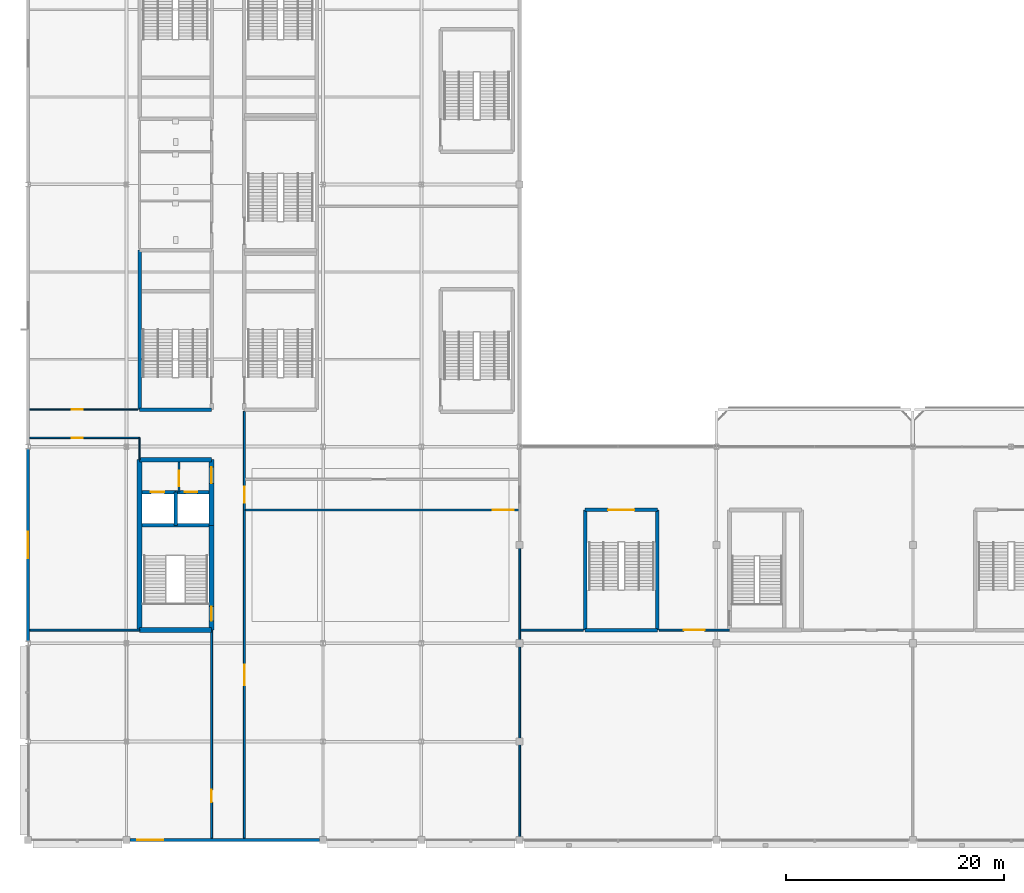
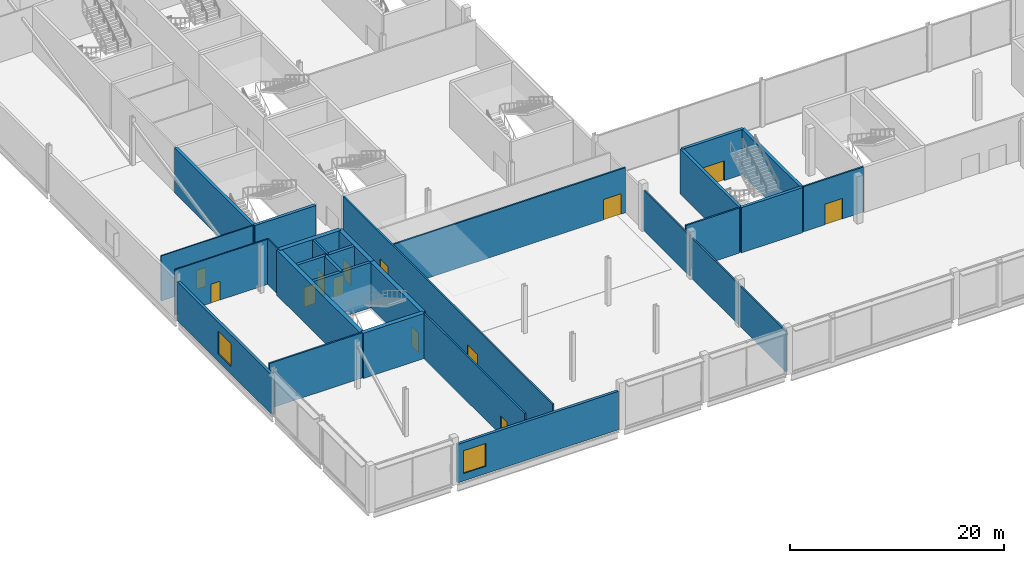
# One storey, part 63 of 113: 29 walls, 13 doors, 2 windows, 15 openings.
"""IFC4 building model written with IfcOpenShell, lengths in metres."""

from ifc_helpers import new_model, si_unit, direction, frame, frame_2d, origin, place, context, subcontext, project, spatial, rectangle, extrude, material, layer, layer_set, type_object, element, fill, save


model = new_model("IFC4")

# Units and contexts
model_context = context("Model", 3, precision=1e-05, world=origin(), true_north=direction((0.0, 1.0)))
body_context = subcontext(model_context, "Body", "Model", "MODEL_VIEW")
ifc_project = project(units=[si_unit("LENGTHUNIT", "METRE"), si_unit("AREAUNIT", "SQUARE_METRE"), si_unit("VOLUMEUNIT", "CUBIC_METRE"), si_unit("PLANEANGLEUNIT", "RADIAN"), si_unit("MASSUNIT", "GRAM", prefix="KILO")], contexts=[model_context])

# Site, building, storey
site_placement = place(None, origin())
site = spatial("IfcSite", under=ifc_project, at=site_placement, CompositionType="ELEMENT")
building_placement = place(site_placement, origin())
building = spatial("IfcBuilding", under=site, at=building_placement, Name="Kisiwana Market Hall", CompositionType="ELEMENT")
storey_placement = place(building_placement, frame((0.0, 0.0, 6.0)))
storey = spatial("IfcBuildingStorey", under=building, at=storey_placement, Name="L01", CompositionType="ELEMENT", Elevation=6.0)

# Wall, opening, door
ifc_material_1 = material(Name="Masonry blockwork", Category="masonry")
ifc_layer_1 = layer(ifc_material_1, 0.199951171875, Name="Plastered fire compartment block wall")
ifc_layer_set_1 = layer_set([ifc_layer_1], Name="WL-COMP-200")
wall_type_1 = type_object("IfcWallType", Name="WL-COMP-200", PredefinedType="PARTITIONING", material=ifc_layer_set_1)
wall_1_placement = place(storey_placement, frame((13.800048828125, 31.844970703125, 0.0), z_axis=(0.0, 0.0, 1.0), x_axis=(0.0, 1.0, 0.0)))
wall_1 = element("IfcWall", 1, at=wall_1_placement, inside=storey, type_object=wall_type_1, Name="Core W2 firefighting lobby wall W-0842", PredefinedType="PARTITIONING", context=body_context, shape_type="SweptSolid", body=[
    extrude(rectangle(XDim=2.72998046875, YDim=0.199951171875, at=frame_2d((1.364990234375, 0.0))), origin(), (0.0, 0.0, 1.0), 5.14990234375),
])
opening_1_placement = place(wall_1_placement, frame((0.550048828125, 0.0, 0.0)))
opening_1 = element("IfcOpeningElement", 2, at=opening_1_placement, cuts=wall_1, Name="Opening DR-L01-003", PredefinedType="OPENING", context=body_context, shape_type="SweptSolid", body=[
    extrude(rectangle(XDim=1.39990234375, YDim=2.25, at=frame_2d((0.699951171875, 1.125))), frame((0.0, 0.11181640625, 0.0), z_axis=(0.0, -1.0, 0.0), x_axis=(1.0, 0.0, 0.0)), (0.0, 0.0, 1.0), 0.223876953125),
])
ifc_material_2 = material(Name="Steel S275", Category="steel")
door_type_1 = type_object("IfcDoorType", Name="DR-FFLOB-FD120-1400", OperationType="DOUBLE_DOOR_SINGLE_SWING", PredefinedType="DOOR", material=ifc_material_2)
door_1_placement = place(opening_1_placement, frame((1.39990234375, 0.0, 0.0), z_axis=(0.0, 0.0, 1.0), x_axis=(-1.0, 0.0, 0.0)))
door_1 = element("IfcDoor", 3, at=door_1_placement, inside=storey, type_object=door_type_1, Name="Firefighting Lift Lobby W2 Door (L01)", OperationType="DOUBLE_DOOR_SINGLE_SWING", OverallHeight=2.25, OverallWidth=1.39990234375, PredefinedType="DOOR", context=body_context, shape_type="SweptSolid", body=[
    extrude(rectangle(XDim=1.39990234375, YDim=2.25, at=frame_2d((0.699951171875, 1.125))), frame((0.0, 0.02490234375, 0.0), z_axis=(0.0, -1.0, 0.0), x_axis=(1.0, 0.0, 0.0)), (0.0, 0.0, 1.0), 0.050048828125),
])
fill(opening_1, door_1)

# Walls
ifc_material_3 = material(Name="Concrete C40/50", Category="concrete")
ifc_layer_2 = layer(ifc_material_3, 0.320068359375, Name="Reinforced concrete shaft wall")
ifc_layer_set_2 = layer_set([ifc_layer_2], Name="WL-CORE-320")
wall_type_2 = type_object("IfcWallType", Name="WL-CORE-320", PredefinedType="SHEAR", material=ifc_layer_set_2)
wall_2_placement = place(storey_placement, frame((10.425048828125, 28.784912109375, 0.0), z_axis=(0.0, 0.0, 1.0), x_axis=(1.0, 0.0, 0.0)))
element("IfcWall", 4, at=wall_2_placement, inside=storey, type_object=wall_type_2, Name="Core W2 shaft back shear wall W-0677", PredefinedType="SHEAR", context=body_context, shape_type="SweptSolid", body=[
    extrude(rectangle(XDim=6.14990234375, YDim=0.320068359375, at=frame_2d((3.074951171875, 0.0))), origin(), (0.0, 0.0, 1.0), 5.14990234375),
])
wall_3_placement = place(storey_placement, frame((13.5, 28.784912109375, 0.0), z_axis=(0.0, 0.0, 1.0), x_axis=(0.0, 1.0, 0.0)))
element("IfcWall", 5, at=wall_3_placement, inside=storey, type_object=wall_type_2, Name="Core W2 inter-shaft shear wall W-0678", PredefinedType="SHEAR", context=body_context, shape_type="SweptSolid", body=[
    extrude(rectangle(XDim=3.06005859375, YDim=0.320068359375, at=frame_2d((1.530029296875, 0.0))), origin(), (0.0, 0.0, 1.0), 5.14990234375),
])

# Wall, opening, door
wall_4_placement = place(storey_placement, frame((10.425048828125, 31.844970703125, 0.0), z_axis=(0.0, 0.0, 1.0), x_axis=(1.0, 0.0, 0.0)))
wall_4 = element("IfcWall", 6, at=wall_4_placement, inside=storey, type_object=wall_type_2, Name="Core W2 west lift front wall W-0679", PredefinedType="SHEAR", context=body_context, shape_type="SweptSolid", body=[
    extrude(rectangle(XDim=3.074951171875, YDim=0.320068359375, at=frame_2d((1.53759765625, 0.0))), origin(), (0.0, 0.0, 1.0), 5.14990234375),
])
opening_2_placement = place(wall_4_placement, frame((0.800048828125, 0.0, 0.0)))
opening_2 = element("IfcOpeningElement", 7, at=opening_2_placement, cuts=wall_4, Name="Opening LD-L01-001", PredefinedType="OPENING", context=body_context, shape_type="SweptSolid", body=[
    extrude(rectangle(XDim=1.25, YDim=2.25, at=frame_2d((0.625, 1.125))), frame((0.0, 0.171875, 0.0), z_axis=(0.0, -1.0, 0.0), x_axis=(1.0, 0.0, 0.0)), (0.0, 0.0, 1.0), 0.343994140625),
])
ifc_material_4 = material(Name="Steel S275", Category="steel")
door_type_2 = type_object("IfcDoorType", Name="DR-LIFT-FFL-1250", OperationType="DOUBLE_DOOR_SLIDING", PredefinedType="DOOR", material=ifc_material_4)
door_2_placement = place(opening_2_placement, origin())
door_2 = element("IfcDoor", 8, at=door_2_placement, inside=storey, type_object=door_type_2, Name="Lift Landing Door FFL-01 (L01)", OperationType="DOUBLE_DOOR_SLIDING", OverallHeight=2.25, OverallWidth=1.25, PredefinedType="DOOR", context=body_context, shape_type="SweptSolid", body=[
    extrude(rectangle(XDim=1.25, YDim=2.25, at=frame_2d((0.625, 1.125))), frame((0.0, 0.02490234375, 0.0), z_axis=(0.0, -1.0, 0.0), x_axis=(1.0, 0.0, 0.0)), (0.0, 0.0, 1.0), 0.050048828125),
])
fill(opening_2, door_2)

wall_5_placement = place(storey_placement, frame((13.5, 31.844970703125, 0.0), z_axis=(0.0, 0.0, 1.0), x_axis=(1.0, 0.0, 0.0)))
wall_5 = element("IfcWall", 9, at=wall_5_placement, inside=storey, type_object=wall_type_2, Name="Core W2 east lift front wall W-0680", PredefinedType="SHEAR", context=body_context, shape_type="SweptSolid", body=[
    extrude(rectangle(XDim=3.074951171875, YDim=0.320068359375, at=frame_2d((1.53759765625, 0.0))), origin(), (0.0, 0.0, 1.0), 5.14990234375),
])
opening_3_placement = place(wall_5_placement, frame((0.85009765625, 0.0, 0.0)))
opening_3 = element("IfcOpeningElement", 10, at=opening_3_placement, cuts=wall_5, Name="Opening LD-L01-002", PredefinedType="OPENING", context=body_context, shape_type="SweptSolid", body=[
    extrude(rectangle(XDim=1.14990234375, YDim=2.199951171875, at=frame_2d((0.574951171875, 1.10009765625))), frame((0.0, 0.171875, 0.0), z_axis=(0.0, -1.0, 0.0), x_axis=(1.0, 0.0, 0.0)), (0.0, 0.0, 1.0), 0.343994140625),
])
ifc_material_5 = material(Name="Steel S275", Category="steel")
door_type_3 = type_object("IfcDoorType", Name="DR-LIFT-PAX-1150", OperationType="DOUBLE_DOOR_SLIDING", PredefinedType="DOOR", material=ifc_material_5)
door_3_placement = place(opening_3_placement, origin())
door_3 = element("IfcDoor", 11, at=door_3_placement, inside=storey, type_object=door_type_3, Name="Lift Landing Door LP-01 (L01)", OperationType="DOUBLE_DOOR_SLIDING", OverallHeight=2.199951171875, OverallWidth=1.14990234375, PredefinedType="DOOR", context=body_context, shape_type="SweptSolid", body=[
    extrude(rectangle(XDim=1.14990234375, YDim=2.199951171875, at=frame_2d((0.574951171875, 1.10009765625))), frame((0.0, 0.02490234375, 0.0), z_axis=(0.0, -1.0, 0.0), x_axis=(1.0, 0.0, 0.0)), (0.0, 0.0, 1.0), 0.050048828125),
])
fill(opening_3, door_3)

# Walls
wall_6_placement = place(storey_placement, frame((10.199951171875, 39.39990234375, 0.0), z_axis=(0.0, 0.0, 1.0), x_axis=(1.0, 0.0, 0.0)))
element("IfcWall", 12, at=wall_6_placement, inside=storey, type_object=wall_type_2, Name="Core W3 south shear wall W-0730", PredefinedType="SHEAR", context=body_context, shape_type="SweptSolid", body=[
    extrude(rectangle(XDim=6.60009765625, YDim=0.320068359375, at=frame_2d((3.300048828125, 0.0))), origin(), (0.0, 0.0, 1.0), 5.14990234375),
])
wall_7_placement = place(storey_placement, frame((10.199951171875, 39.39990234375, 0.0), z_axis=(0.0, 0.0, 1.0), x_axis=(0.0, 1.0, 0.0)))
element("IfcWall", 13, at=wall_7_placement, inside=storey, type_object=wall_type_2, Name="Core W3 outer shear wall W-0732", PredefinedType="SHEAR", context=body_context, shape_type="SweptSolid", body=[
    extrude(rectangle(XDim=14.60009765625, YDim=0.320068359375, at=frame_2d((7.300048828125, 0.0))), origin(), (0.0, 0.0, 1.0), 5.14990234375),
])
wall_8_placement = place(storey_placement, frame((51.0, 19.199951171875, 0.0), z_axis=(0.0, 0.0, 1.0), x_axis=(1.0, 0.0, 0.0)))
element("IfcWall", 14, at=wall_8_placement, inside=storey, type_object=wall_type_2, Name="Core S3 outer shear wall W-0794", PredefinedType="SHEAR", context=body_context, shape_type="SweptSolid", body=[
    extrude(rectangle(XDim=6.60009765625, YDim=0.320068359375, at=frame_2d((3.300048828125, 0.0))), origin(), (0.0, 0.0, 1.0), 5.14990234375),
])

# Wall, opening, door
wall_9_placement = place(storey_placement, frame((51.0, 30.199951171875, 0.0), z_axis=(0.0, 0.0, 1.0), x_axis=(1.0, 0.0, 0.0)))
wall_9 = element("IfcWall", 15, at=wall_9_placement, inside=storey, type_object=wall_type_2, Name="Core S3 corridor shear wall W-0795", PredefinedType="SHEAR", context=body_context, shape_type="SweptSolid", body=[
    extrude(rectangle(XDim=6.60009765625, YDim=0.320068359375, at=frame_2d((3.300048828125, 0.0))), origin(), (0.0, 0.0, 1.0), 5.14990234375),
])
opening_4_placement = place(wall_9_placement, frame((2.10009765625, 0.0, 0.0)))
opening_4 = element("IfcOpeningElement", 16, at=opening_4_placement, cuts=wall_9, Name="Opening DR-L01-033", PredefinedType="OPENING", context=body_context, shape_type="SweptSolid", body=[
    extrude(rectangle(XDim=2.39990234375, YDim=2.25, at=frame_2d((1.199951171875, 1.125))), frame((0.0, 0.171875, 0.0), z_axis=(0.0, -1.0, 0.0), x_axis=(1.0, 0.0, 0.0)), (0.0, 0.0, 1.0), 0.343994140625),
])
ifc_material_6 = material(Name="Steel S275", Category="steel")
door_type_4 = type_object("IfcDoorType", Name="DR-STAIR-FD120-2400", OperationType="DOUBLE_DOOR_SINGLE_SWING", PredefinedType="DOOR", material=ifc_material_6)
door_4_placement = place(opening_4_placement, frame((2.39990234375, 0.0, 0.0), z_axis=(0.0, 0.0, 1.0), x_axis=(-1.0, 0.0, 0.0)))
door_4 = element("IfcDoor", 17, at=door_4_placement, inside=storey, type_object=door_type_4, Name="Escape Stair S3 Fire Door (L01)", OperationType="DOUBLE_DOOR_SINGLE_SWING", OverallHeight=2.25, OverallWidth=2.39990234375, PredefinedType="DOOR", context=body_context, shape_type="SweptSolid", body=[
    extrude(rectangle(XDim=2.39990234375, YDim=2.25, at=frame_2d((1.199951171875, 1.125))), frame((0.0, 0.02490234375, 0.0), z_axis=(0.0, -1.0, 0.0), x_axis=(1.0, 0.0, 0.0)), (0.0, 0.0, 1.0), 0.050048828125),
])
fill(opening_4, door_4)

# Walls
for number, where, z_axis, x_axis, name in (
    (18, (51.0, 19.199951171875, 0.0), (0.0, 0.0, 1.0), (0.0, 1.0, 0.0), "Core S3 west shear wall W-0796"),
    (19, (57.60009765625, 19.199951171875, 0.0), (0.0, 0.0, 1.0), (0.0, 1.0, 0.0), "Core S3 east shear wall W-0797"),
):
    element("IfcWall", number, at=place(storey_placement, frame(where, z_axis=z_axis, x_axis=x_axis)), inside=storey, type_object=wall_type_2, Name=name, PredefinedType="SHEAR", context=body_context, shape_type="SweptSolid", body=[
        extrude(rectangle(XDim=11.0, YDim=0.320068359375, at=frame_2d((5.5, 0.0))), origin(), (0.0, 0.0, 1.0), 5.14990234375),
    ])
ifc_material_7 = material(Name="Concrete C40/50", Category="concrete")
ifc_layer_3 = layer(ifc_material_7, 0.449951171875, Name="Reinforced concrete core wall")
ifc_layer_set_3 = layer_set([ifc_layer_3], Name="WL-CORE-450")
wall_type_3 = type_object("IfcWallType", Name="WL-CORE-450", PredefinedType="SHEAR", material=ifc_layer_set_3)
for number, where, z_axis, x_axis, name in (
    (20, (10.199951171875, 19.199951171875, 0.0), (0.0, 0.0, 1.0), (1.0, 0.0, 0.0), "Core W2 south shear wall W-0672"),
    (21, (10.199951171875, 34.800048828125, 0.0), (0.0, 0.0, 1.0), (1.0, 0.0, 0.0), "Core W2 north shear wall W-0673"),
):
    element("IfcWall", number, at=place(storey_placement, frame(where, z_axis=z_axis, x_axis=x_axis)), inside=storey, type_object=wall_type_3, Name=name, PredefinedType="SHEAR", context=body_context, shape_type="SweptSolid", body=[
        extrude(rectangle(XDim=6.60009765625, YDim=0.449951171875, at=frame_2d((3.300048828125, 0.0))), origin(), (0.0, 0.0, 1.0), 5.14990234375),
    ])
wall_10_placement = place(storey_placement, frame((10.199951171875, 19.199951171875, 0.0), z_axis=(0.0, 0.0, 1.0), x_axis=(0.0, 1.0, 0.0)))
element("IfcWall", 22, at=wall_10_placement, inside=storey, type_object=wall_type_3, Name="Core W2 outer shear wall W-0674", PredefinedType="SHEAR", context=body_context, shape_type="SweptSolid", body=[
    extrude(rectangle(XDim=15.60009765625, YDim=0.449951171875, at=frame_2d((7.800048828125, 0.0))), origin(), (0.0, 0.0, 1.0), 5.14990234375),
])

# Wall, opening, door
wall_11_placement = place(storey_placement, frame((16.800048828125, 19.199951171875, 0.0), z_axis=(0.0, 0.0, 1.0), x_axis=(0.0, 1.0, 0.0)))
wall_11 = element("IfcWall", 23, at=wall_11_placement, inside=storey, type_object=wall_type_3, Name="Core W2 stair corridor shear wall W-0675", PredefinedType="SHEAR", context=body_context, shape_type="SweptSolid", body=[
    extrude(rectangle(XDim=9.5849609375, YDim=0.449951171875, at=frame_2d((4.79248046875, 0.0))), origin(), (0.0, 0.0, 1.0), 5.14990234375),
])
opening_5_placement = place(wall_11_placement, frame((0.85009765625, 0.0, 0.0)))
opening_5 = element("IfcOpeningElement", 24, at=opening_5_placement, cuts=wall_11, Name="Opening DR-L01-001", PredefinedType="OPENING", context=body_context, shape_type="SweptSolid", body=[
    extrude(rectangle(XDim=1.300048828125, YDim=2.199951171875, at=frame_2d((0.64990234375, 1.10009765625))), frame((0.0, 0.23681640625, 0.0), z_axis=(0.0, -1.0, 0.0), x_axis=(1.0, 0.0, 0.0)), (0.0, 0.0, 1.0), 0.473876953125),
])
ifc_material_8 = material(Name="Steel S275", Category="steel")
door_type_5 = type_object("IfcDoorType", Name="DR-STAIR-FD120-1300", OperationType="NOTDEFINED", PredefinedType="DOOR", material=ifc_material_8)
door_5_placement = place(opening_5_placement, origin())
door_5 = element("IfcDoor", 25, at=door_5_placement, inside=storey, type_object=door_type_5, Name="Escape Stair W2 Fire Door (L01)", OperationType="SINGLE_SWING_LEFT", OverallHeight=2.199951171875, OverallWidth=1.300048828125, PredefinedType="DOOR", context=body_context, shape_type="SweptSolid", body=[
    extrude(rectangle(XDim=1.300048828125, YDim=2.199951171875, at=frame_2d((0.64990234375, 1.10009765625))), frame((0.0, 0.02490234375, 0.0), z_axis=(0.0, -1.0, 0.0), x_axis=(1.0, 0.0, 0.0)), (0.0, 0.0, 1.0), 0.050048828125),
])
fill(opening_5, door_5)

wall_12_placement = place(storey_placement, frame((16.800048828125, 28.784912109375, 0.0), z_axis=(0.0, 0.0, 1.0), x_axis=(0.0, 1.0, 0.0)))
wall_12 = element("IfcWall", 26, at=wall_12_placement, inside=storey, type_object=wall_type_3, Name="Core W2 lobby corridor shear wall W-0676", PredefinedType="SHEAR", context=body_context, shape_type="SweptSolid", body=[
    extrude(rectangle(XDim=6.01513671875, YDim=0.449951171875, at=frame_2d((3.007568359375, 0.0))), origin(), (0.0, 0.0, 1.0), 5.14990234375),
])
opening_6_placement = place(wall_12_placement, frame((3.85009765625, 0.0, 0.0)))
opening_6 = element("IfcOpeningElement", 27, at=opening_6_placement, cuts=wall_12, Name="Opening DR-L01-002", PredefinedType="OPENING", context=body_context, shape_type="SweptSolid", body=[
    extrude(rectangle(XDim=1.5, YDim=2.199951171875, at=frame_2d((0.75, 1.10009765625))), frame((0.0, 0.23681640625, 0.0), z_axis=(0.0, -1.0, 0.0), x_axis=(1.0, 0.0, 0.0)), (0.0, 0.0, 1.0), 0.473876953125),
])
ifc_material_9 = material(Name="Steel S275", Category="steel")
door_type_6 = type_object("IfcDoorType", Name="DR-CORR-FD60-1500", OperationType="DOUBLE_DOOR_SINGLE_SWING", PredefinedType="DOOR", material=ifc_material_9)
door_6_placement = place(opening_6_placement, frame((1.5, 0.0, 0.0), z_axis=(0.0, 0.0, 1.0), x_axis=(-1.0, 0.0, 0.0)))
door_6 = element("IfcDoor", 28, at=door_6_placement, inside=storey, type_object=door_type_6, Name="Passenger Lift Lobby W2 Smoke Door (L01)", OperationType="DOUBLE_DOOR_SINGLE_SWING", OverallHeight=2.199951171875, OverallWidth=1.5, PredefinedType="DOOR", context=body_context, shape_type="SweptSolid", body=[
    extrude(rectangle(XDim=1.5, YDim=2.199951171875, at=frame_2d((0.75, 1.10009765625))), frame((0.0, 0.02490234375, 0.0), z_axis=(0.0, -1.0, 0.0), x_axis=(1.0, 0.0, 0.0)), (0.0, 0.0, 1.0), 0.050048828125),
])
fill(opening_6, door_6)

# Wall
ifc_material_10 = material(Name="Masonry blockwork", Category="masonry")
ifc_layer_4 = layer(ifc_material_10, 0.169921875, Name="Protected corridor partition")
ifc_layer_set_4 = layer_set([ifc_layer_4], Name="WL-CORR-170")
wall_type_4 = type_object("IfcWallType", Name="WL-CORR-170", PredefinedType="PARTITIONING", material=ifc_layer_set_4)
wall_13_placement = place(storey_placement, frame((0.157470703125, 19.199951171875, 0.0), z_axis=(0.0, 0.0, 1.0), x_axis=(1.0, 0.0, 0.0)))
element("IfcWall", 29, at=wall_13_placement, inside=storey, type_object=wall_type_4, Name="Interior partition W-0852", PredefinedType="PARTITIONING", context=body_context, shape_type="SweptSolid", body=[
    extrude(rectangle(XDim=10.04248046875, YDim=0.169921875, at=frame_2d((5.021240234375, 0.0))), origin(), (0.0, 0.0, 1.0), 5.14990234375),
])

# Wall, opening, door
wall_14_placement = place(storey_placement, frame((16.800048828125, 0.157470703125, 0.0), z_axis=(0.0, 0.0, 1.0), x_axis=(0.0, 1.0, 0.0)))
wall_14 = element("IfcWall", 30, at=wall_14_placement, inside=storey, type_object=wall_type_4, Name="Interior partition W-0858", PredefinedType="PARTITIONING", context=body_context, shape_type="SweptSolid", body=[
    extrude(rectangle(XDim=19.04248046875, YDim=0.169921875, at=frame_2d((9.521240234375, 0.0))), origin(), (0.0, 0.0, 1.0), 5.14990234375),
])
opening_7_placement = place(wall_14_placement, frame((3.300048828125, 0.0, 0.0)))
opening_7 = element("IfcOpeningElement", 31, at=opening_7_placement, cuts=wall_14, Name="Opening DR-L01-047", PredefinedType="OPENING", context=body_context, shape_type="SweptSolid", body=[
    extrude(rectangle(XDim=1.14990234375, YDim=2.14990234375, at=frame_2d((0.574951171875, 1.074951171875))), frame((0.0, 0.096923828125, 0.0), z_axis=(0.0, -1.0, 0.0), x_axis=(1.0, 0.0, 0.0)), (0.0, 0.0, 1.0), 0.19384765625),
])
ifc_material_11 = material(Name="Aluminium alloy 6063-T6", Category="aluminium")
door_type_7 = type_object("IfcDoorType", Name="DR-MEET-1150", OperationType="NOTDEFINED", PredefinedType="DOOR", material=ifc_material_11)
door_7_placement = place(opening_7_placement, origin())
door_7 = element("IfcDoor", 32, at=door_7_placement, inside=storey, type_object=door_type_7, Name="L01 W Corner Office Suite South Door", OperationType="SINGLE_SWING_LEFT", OverallHeight=2.14990234375, OverallWidth=1.14990234375, PredefinedType="DOOR", context=body_context, shape_type="SweptSolid", body=[
    extrude(rectangle(XDim=1.14990234375, YDim=2.14990234375, at=frame_2d((0.574951171875, 1.074951171875))), frame((0.0, 0.02490234375, 0.0), z_axis=(0.0, -1.0, 0.0), x_axis=(1.0, 0.0, 0.0)), (0.0, 0.0, 1.0), 0.050048828125),
])
fill(opening_7, door_7)

wall_15_placement = place(storey_placement, frame((19.885009765625, 30.199951171875, 0.0), z_axis=(0.0, 0.0, 1.0), x_axis=(1.0, 0.0, 0.0)))
wall_15 = element("IfcWall", 33, at=wall_15_placement, inside=storey, type_object=wall_type_4, Name="Interior partition W-0860", PredefinedType="PARTITIONING", context=body_context, shape_type="SweptSolid", body=[
    extrude(rectangle(XDim=25.030029296875, YDim=0.169921875, at=frame_2d((12.51513671875, 0.0))), origin(), (0.0, 0.0, 1.0), 5.14990234375),
])
opening_8_placement = place(wall_15_placement, frame((22.64990234375, 0.0, 0.0)))
opening_8 = element("IfcOpeningElement", 34, at=opening_8_placement, cuts=wall_15, Name="Opening DR-L01-049", PredefinedType="OPENING", context=body_context, shape_type="SweptSolid", body=[
    extrude(rectangle(XDim=1.89990234375, YDim=2.35009765625, at=frame_2d((0.949951171875, 1.175048828125))), frame((0.0, 0.096923828125, 0.0), z_axis=(0.0, -1.0, 0.0), x_axis=(1.0, 0.0, 0.0)), (0.0, 0.0, 1.0), 0.19384765625),
])
ifc_material_12 = material(Name="Steel S275", Category="steel")
door_type_8 = type_object("IfcDoorType", Name="DR-HALL-1900", OperationType="DOUBLE_DOOR_SINGLE_SWING", PredefinedType="DOOR", material=ifc_material_12)
door_8_placement = place(opening_8_placement, frame((1.89990234375, 0.0, 0.0), z_axis=(0.0, 0.0, 1.0), x_axis=(-1.0, 0.0, 0.0)))
door_8 = element("IfcDoor", 35, at=door_8_placement, inside=storey, type_object=door_type_8, Name="L01 W Food Court South Dining Hall Exit Door", OperationType="DOUBLE_DOOR_SINGLE_SWING", OverallHeight=2.35009765625, OverallWidth=1.89990234375, PredefinedType="DOOR", context=body_context, shape_type="SweptSolid", body=[
    extrude(rectangle(XDim=1.89990234375, YDim=2.35009765625, at=frame_2d((0.949951171875, 1.175048828125))), frame((0.0, 0.02490234375, 0.0), z_axis=(0.0, -1.0, 0.0), x_axis=(1.0, 0.0, 0.0)), (0.0, 0.0, 1.0), 0.050048828125),
])
fill(opening_8, door_8)

# Wall, openings, doors
wall_16_placement = place(storey_placement, frame((19.800048828125, 0.157470703125, 0.0), z_axis=(0.0, 0.0, 1.0), x_axis=(0.0, 1.0, 0.0)))
wall_16 = element("IfcWall", 36, at=wall_16_placement, inside=storey, type_object=wall_type_4, Name="Interior partition W-0865", PredefinedType="PARTITIONING", context=body_context, shape_type="SweptSolid", body=[
    extrude(rectangle(XDim=39.08251953125, YDim=0.169921875, at=frame_2d((19.541259765625, 0.0))), origin(), (0.0, 0.0, 1.0), 5.14990234375),
])
opening_9_placement = place(wall_16_placement, frame((13.991943359375, 0.0, 0.0)))
opening_9 = element("IfcOpeningElement", 37, at=opening_9_placement, cuts=wall_16, Name="Opening DR-L01-051", PredefinedType="OPENING", context=body_context, shape_type="SweptSolid", body=[
    extrude(rectangle(XDim=1.89990234375, YDim=2.35009765625, at=frame_2d((0.949951171875, 1.175048828125))), frame((0.0, 0.096923828125, 0.0), z_axis=(0.0, -1.0, 0.0), x_axis=(1.0, 0.0, 0.0)), (0.0, 0.0, 1.0), 0.19384765625),
])
opening_10_placement = place(wall_16_placement, frame((30.693115234375, 0.0, 0.0)))
opening_10 = element("IfcOpeningElement", 38, at=opening_10_placement, cuts=wall_16, Name="Opening DR-L01-052", PredefinedType="OPENING", context=body_context, shape_type="SweptSolid", body=[
    extrude(rectangle(XDim=1.5, YDim=2.199951171875, at=frame_2d((0.75, 1.10009765625))), frame((0.0, 0.096923828125, 0.0), z_axis=(0.0, -1.0, 0.0), x_axis=(1.0, 0.0, 0.0)), (0.0, 0.0, 1.0), 0.19384765625),
])
door_9_placement = place(opening_10_placement, origin())
door_9 = element("IfcDoor", 39, at=door_9_placement, inside=storey, type_object=door_type_6, Name="L01 W South Mezzanine Link Corridor Door", OperationType="DOUBLE_DOOR_SINGLE_SWING", OverallHeight=2.199951171875, OverallWidth=1.5, PredefinedType="DOOR", context=body_context, shape_type="SweptSolid", body=[
    extrude(rectangle(XDim=1.5, YDim=2.199951171875, at=frame_2d((0.75, 1.10009765625))), frame((0.0, 0.02490234375, 0.0), z_axis=(0.0, -1.0, 0.0), x_axis=(1.0, 0.0, 0.0)), (0.0, 0.0, 1.0), 0.050048828125),
])
fill(opening_10, door_9)
door_10_placement = place(opening_9_placement, frame((1.89990234375, 0.0, 0.0), z_axis=(0.0, 0.0, 1.0), x_axis=(-1.0, 0.0, 0.0)))
door_10 = element("IfcDoor", 40, at=door_10_placement, inside=storey, type_object=door_type_8, Name="L01 W Food Court South Dining Hall Door", OperationType="DOUBLE_DOOR_SINGLE_SWING", OverallHeight=2.35009765625, OverallWidth=1.89990234375, PredefinedType="DOOR", context=body_context, shape_type="SweptSolid", body=[
    extrude(rectangle(XDim=1.89990234375, YDim=2.35009765625, at=frame_2d((0.949951171875, 1.175048828125))), frame((0.0, 0.02490234375, 0.0), z_axis=(0.0, -1.0, 0.0), x_axis=(1.0, 0.0, 0.0)), (0.0, 0.0, 1.0), 0.050048828125),
])
fill(opening_9, door_10)

# Walls
wall_17_placement = place(storey_placement, frame((45.0, 0.219970703125, 0.0), z_axis=(0.0, 0.0, 1.0), x_axis=(0.0, 1.0, 0.0)))
element("IfcWall", 41, at=wall_17_placement, inside=storey, type_object=wall_type_4, Name="Interior partition W-0867", PredefinedType="PARTITIONING", context=body_context, shape_type="SweptSolid", body=[
    extrude(rectangle(XDim=17.56005859375, YDim=0.169921875, at=frame_2d((8.780029296875, 0.0))), origin(), (0.0, 0.0, 1.0), 4.616943359375),
])
wall_18_placement = place(storey_placement, frame((45.0, 18.219970703125, 0.0), z_axis=(0.0, 0.0, 1.0), x_axis=(0.0, 1.0, 0.0)))
element("IfcWall", 42, at=wall_18_placement, inside=storey, type_object=wall_type_4, Name="Interior partition W-0868", PredefinedType="PARTITIONING", context=body_context, shape_type="SweptSolid", body=[
    extrude(rectangle(XDim=8.56005859375, YDim=0.169921875, at=frame_2d((4.280029296875, 0.0))), origin(), (0.0, 0.0, 1.0), 4.616943359375),
])
wall_19_placement = place(storey_placement, frame((45.0849609375, 19.199951171875, 0.0), z_axis=(0.0, 0.0, 1.0), x_axis=(1.0, 0.0, 0.0)))
element("IfcWall", 43, at=wall_19_placement, inside=storey, type_object=wall_type_4, Name="Interior partition W-0904", PredefinedType="PARTITIONING", context=body_context, shape_type="SweptSolid", body=[
    extrude(rectangle(XDim=5.755126953125, YDim=0.169921875, at=frame_2d((2.87744140625, 0.0))), origin(), (0.0, 0.0, 1.0), 5.14990234375),
])

# Wall, opening, door
wall_20_placement = place(storey_placement, frame((57.760009765625, 19.199951171875, 0.0), z_axis=(0.0, 0.0, 1.0), x_axis=(1.0, 0.0, 0.0)))
wall_20 = element("IfcWall", 44, at=wall_20_placement, inside=storey, type_object=wall_type_4, Name="Interior partition W-0905", PredefinedType="PARTITIONING", context=body_context, shape_type="SweptSolid", body=[
    extrude(rectangle(XDim=6.43994140625, YDim=0.169921875, at=frame_2d((3.219970703125, 0.0))), origin(), (0.0, 0.0, 1.0), 5.14990234375),
])
opening_11_placement = place(wall_20_placement, frame((2.27001953125, 0.0, 0.0)))
opening_11 = element("IfcOpeningElement", 45, at=opening_11_placement, cuts=wall_20, Name="Opening DR-L01-077", PredefinedType="OPENING", context=body_context, shape_type="SweptSolid", body=[
    extrude(rectangle(XDim=1.89990234375, YDim=2.35009765625, at=frame_2d((0.949951171875, 1.175048828125))), frame((0.0, 0.096923828125, 0.0), z_axis=(0.0, -1.0, 0.0), x_axis=(1.0, 0.0, 0.0)), (0.0, 0.0, 1.0), 0.19384765625),
])
door_11_placement = place(opening_11_placement, origin())
door_11 = element("IfcDoor", 46, at=door_11_placement, inside=storey, type_object=door_type_8, Name="L01 Food Court SW Hall Door", OperationType="DOUBLE_DOOR_SINGLE_SWING", OverallHeight=2.35009765625, OverallWidth=1.89990234375, PredefinedType="DOOR", context=body_context, shape_type="SweptSolid", body=[
    extrude(rectangle(XDim=1.89990234375, YDim=2.35009765625, at=frame_2d((0.949951171875, 1.175048828125))), frame((0.0, 0.02490234375, 0.0), z_axis=(0.0, -1.0, 0.0), x_axis=(1.0, 0.0, 0.0)), (0.0, 0.0, 1.0), 0.050048828125),
])
fill(opening_11, door_11)

# Wall, opening, window
ifc_material_13 = material(Name="Masonry blockwork", Category="masonry")
ifc_layer_5 = layer(ifc_material_13, 0.139892578125, Name="Rendered masonry outer leaf")
ifc_material_14 = material(Name="Mineral wool insulation")
ifc_layer_6 = layer(ifc_material_14, 0.074951171875, Name="Mineral wool cavity insulation")
ifc_material_15 = material(Name="Gypsum plasterboard")
ifc_layer_7 = layer(ifc_material_15, 0.074951171875, Name="Calcium silicate inner lining")
ifc_layer_set_5 = layer_set([ifc_layer_5, ifc_layer_6, ifc_layer_7], Name="WL-EXT-MAS-290")
wall_type_5 = type_object("IfcWallType", Name="WL-EXT-MAS-290", PredefinedType="STANDARD", material=ifc_layer_set_5)
wall_21_placement = place(storey_placement, frame((9.31689453125, 0.0, 0.0), z_axis=(0.0, 0.0, 1.0), x_axis=(1.0, 0.0, 0.0)))
wall_21 = element("IfcWall", 47, at=wall_21_placement, inside=storey, type_object=wall_type_5, Name="Exterior wall W-0826", PredefinedType="STANDARD", context=body_context, shape_type="SweptSolid", body=[
    extrude(rectangle(XDim=17.3662109375, YDim=0.2900390625, at=frame_2d((8.68310546875, 0.0))), origin(), (0.0, 0.0, 1.0), 4.3876953125),
])
opening_12_placement = place(wall_21_placement, frame((0.64990234375, 0.0, 0.85009765625)))
opening_12 = element("IfcOpeningElement", 48, at=opening_12_placement, cuts=wall_21, Name="Opening WN-11", PredefinedType="OPENING", context=body_context, shape_type="SweptSolid", body=[
    extrude(rectangle(XDim=2.39990234375, YDim=2.60009765625, at=frame_2d((1.199951171875, 1.300048828125))), frame((0.0, 0.156982421875, 0.0), z_axis=(0.0, -1.0, 0.0), x_axis=(1.0, 0.0, 0.0)), (0.0, 0.0, 1.0), 0.31396484375),
])
ifc_material_16 = material(Name="Double-glazed solar-control low-E IGU", Category="glass")
window_type = type_object("IfcWindowType", Name="WN-POD-2400x2600", PartitioningType="SINGLE_PANEL", PredefinedType="WINDOW", material=ifc_material_16)
window_1_placement = place(opening_12_placement, origin())
window_1 = element("IfcWindow", 49, at=window_1_placement, inside=storey, type_object=window_type, Name="Exterior window WN-013", OverallHeight=2.60009765625, OverallWidth=2.39990234375, PartitioningType="SINGLE_PANEL", PredefinedType="WINDOW", context=body_context, shape_type="SweptSolid", body=[
    extrude(rectangle(XDim=2.39990234375, YDim=2.60009765625, at=frame_2d((1.199951171875, 1.300048828125))), frame((0.0, 0.030029296875, 0.0), z_axis=(0.0, -1.0, 0.0), x_axis=(1.0, 0.0, 0.0)), (0.0, 0.0, 1.0), 0.06005859375),
])
fill(opening_12, window_1)

wall_22_placement = place(storey_placement, frame((0.0, 18.198486328125, 0.0), z_axis=(0.0, 0.0, 1.0), x_axis=(0.0, 1.0, 0.0)))
wall_22 = element("IfcWall", 50, at=wall_22_placement, inside=storey, type_object=wall_type_5, Name="Exterior wall W-0830", PredefinedType="STANDARD", context=body_context, shape_type="SweptSolid", body=[
    extrude(rectangle(XDim=17.60302734375, YDim=0.2900390625, at=frame_2d((8.801513671875, 0.0))), origin(), (0.0, 0.0, 1.0), 4.466552734375),
])
opening_13_placement = place(wall_22_placement, frame((7.6015625, 0.0, 0.85009765625)))
opening_13 = element("IfcOpeningElement", 51, at=opening_13_placement, cuts=wall_22, Name="Opening WN-11", PredefinedType="OPENING", context=body_context, shape_type="SweptSolid", body=[
    extrude(rectangle(XDim=2.39990234375, YDim=2.60009765625, at=frame_2d((1.199951171875, 1.300048828125))), frame((0.0, 0.156982421875, 0.0), z_axis=(0.0, -1.0, 0.0), x_axis=(1.0, 0.0, 0.0)), (0.0, 0.0, 1.0), 0.31396484375),
])
window_2_placement = place(opening_13_placement, origin())
window_2 = element("IfcWindow", 52, at=window_2_placement, inside=storey, type_object=window_type, Name="Exterior window WN-017", OverallHeight=2.60009765625, OverallWidth=2.39990234375, PartitioningType="SINGLE_PANEL", PredefinedType="WINDOW", context=body_context, shape_type="SweptSolid", body=[
    extrude(rectangle(XDim=2.39990234375, YDim=2.60009765625, at=frame_2d((1.199951171875, 1.300048828125))), frame((0.0, 0.030029296875, 0.0), z_axis=(0.0, -1.0, 0.0), x_axis=(1.0, 0.0, 0.0)), (0.0, 0.0, 1.0), 0.06005859375),
])
fill(opening_13, window_2)

# Wall
ifc_material_17 = material(Name="Gypsum plasterboard")
ifc_layer_8 = layer(ifc_material_17, 0.125, Name="Double gypsum board + acoustic stud")
ifc_layer_set_6 = layer_set([ifc_layer_8], Name="WL-OFF-125")
wall_type_6 = type_object("IfcWallType", Name="WL-OFF-125", PredefinedType="PARTITIONING", material=ifc_layer_set_6)
wall_23_placement = place(storey_placement, frame((10.199951171875, 34.800048828125, 0.0), z_axis=(0.0, 0.0, 1.0), x_axis=(0.0, 1.0, 0.0)))
element("IfcWall", 53, at=wall_23_placement, inside=storey, type_object=wall_type_6, Name="Interior partition W-0850", PredefinedType="PARTITIONING", context=body_context, shape_type="SweptSolid", body=[
    extrude(rectangle(XDim=2.0, YDim=0.125, at=frame_2d((1.0, 0.0))), origin(), (0.0, 0.0, 1.0), 5.14990234375),
])

# Wall, opening, door
wall_24_placement = place(storey_placement, frame((0.157470703125, 36.800048828125, 0.0), z_axis=(0.0, 0.0, 1.0), x_axis=(1.0, 0.0, 0.0)))
wall_24 = element("IfcWall", 54, at=wall_24_placement, inside=storey, type_object=wall_type_6, Name="Interior partition W-0854", PredefinedType="PARTITIONING", context=body_context, shape_type="SweptSolid", body=[
    extrude(rectangle(XDim=10.04248046875, YDim=0.125, at=frame_2d((5.021240234375, 0.0))), origin(), (0.0, 0.0, 1.0), 5.14990234375),
])
opening_14_placement = place(wall_24_placement, frame((3.842041015625, 0.0, 0.0)))
opening_14 = element("IfcOpeningElement", 55, at=opening_14_placement, cuts=wall_24, Name="Opening DR-L01-044", PredefinedType="OPENING", context=body_context, shape_type="SweptSolid", body=[
    extrude(rectangle(XDim=1.0, YDim=2.14990234375, at=frame_2d((0.5, 1.074951171875))), frame((0.0, 0.074462890625, 0.0), z_axis=(0.0, -1.0, 0.0), x_axis=(1.0, 0.0, 0.0)), (0.0, 0.0, 1.0), 0.14892578125),
])
ifc_material_18 = material(Name="Aluminium alloy 6063-T6", Category="aluminium")
door_type_9 = type_object("IfcDoorType", Name="DR-OFF-1000", OperationType="NOTDEFINED", PredefinedType="DOOR", material=ifc_material_18)
door_12_placement = place(opening_14_placement, frame((1.0, 0.0, 0.0), z_axis=(0.0, 0.0, 1.0), x_axis=(-1.0, 0.0, 0.0)))
door_12 = element("IfcDoor", 56, at=door_12_placement, inside=storey, type_object=door_type_9, Name="L01 W Food Court Kitchen South Door", OperationType="SINGLE_SWING_RIGHT", OverallHeight=2.14990234375, OverallWidth=1.0, PredefinedType="DOOR", context=body_context, shape_type="SweptSolid", body=[
    extrude(rectangle(XDim=1.0, YDim=2.14990234375, at=frame_2d((0.5, 1.074951171875))), frame((0.0, 0.02490234375, 0.0), z_axis=(0.0, -1.0, 0.0), x_axis=(1.0, 0.0, 0.0)), (0.0, 0.0, 1.0), 0.050048828125),
])
fill(opening_14, door_12)

wall_25_placement = place(storey_placement, frame((0.157470703125, 39.39990234375, 0.0), z_axis=(0.0, 0.0, 1.0), x_axis=(1.0, 0.0, 0.0)))
wall_25 = element("IfcWall", 57, at=wall_25_placement, inside=storey, type_object=wall_type_6, Name="Interior partition W-0855", PredefinedType="PARTITIONING", context=body_context, shape_type="SweptSolid", body=[
    extrude(rectangle(XDim=9.882568359375, YDim=0.125, at=frame_2d((4.94140625, 0.0))), origin(), (0.0, 0.0, 1.0), 5.14990234375),
])
opening_15_placement = place(wall_25_placement, frame((3.842041015625, 0.0, 0.0)))
opening_15 = element("IfcOpeningElement", 58, at=opening_15_placement, cuts=wall_25, Name="Opening DR-L01-045", PredefinedType="OPENING", context=body_context, shape_type="SweptSolid", body=[
    extrude(rectangle(XDim=1.0, YDim=2.14990234375, at=frame_2d((0.5, 1.074951171875))), frame((0.0, 0.074462890625, 0.0), z_axis=(0.0, -1.0, 0.0), x_axis=(1.0, 0.0, 0.0)), (0.0, 0.0, 1.0), 0.14892578125),
])
door_13_placement = place(opening_15_placement, origin())
door_13 = element("IfcDoor", 59, at=door_13_placement, inside=storey, type_object=door_type_9, Name="L01 W Food Court Kitchen Central Door", OperationType="SINGLE_SWING_LEFT", OverallHeight=2.14990234375, OverallWidth=1.0, PredefinedType="DOOR", context=body_context, shape_type="SweptSolid", body=[
    extrude(rectangle(XDim=1.0, YDim=2.14990234375, at=frame_2d((0.5, 1.074951171875))), frame((0.0, 0.02490234375, 0.0), z_axis=(0.0, -1.0, 0.0), x_axis=(1.0, 0.0, 0.0)), (0.0, 0.0, 1.0), 0.050048828125),
])
fill(opening_15, door_13)

save(model, "model.ifc")
